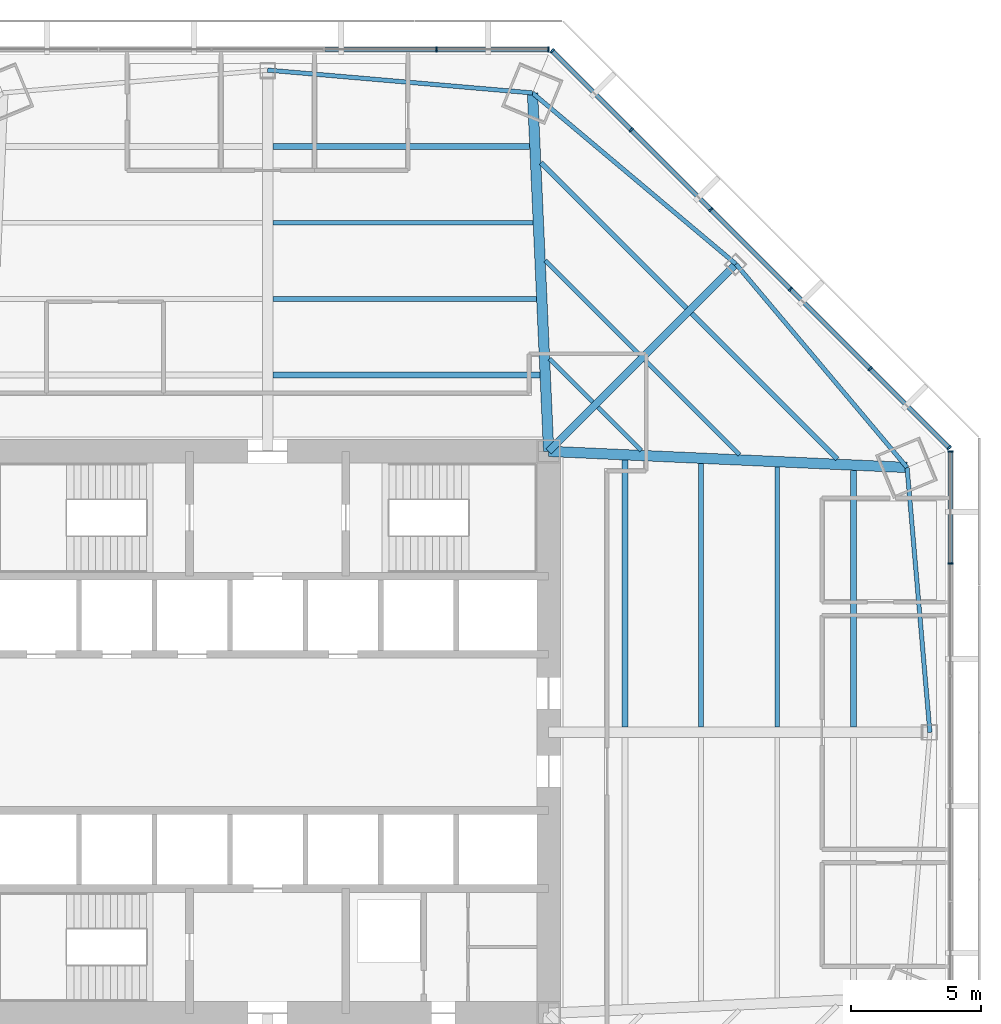
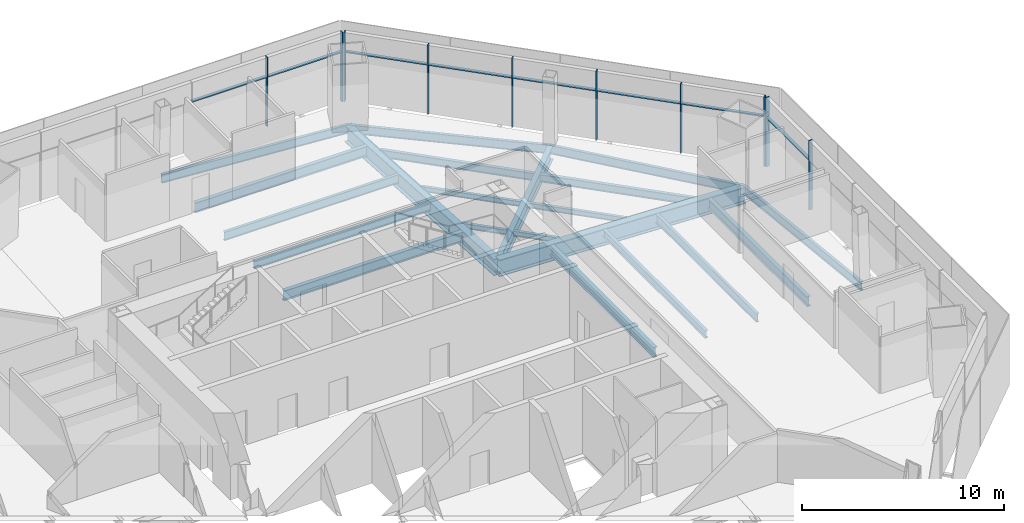
# One storey, part 6 of 15: 21 beams, 18 members, 3 elements without a shape of their own.
"""IFC4 building model written with IfcOpenShell, lengths in metres."""

from ifc_helpers import new_model, si_unit, direction, frame, origin, origin_2d, place, context, subcontext, project, spatial, rectangle, i_section, extrude, source, transform, mapped, material, material_profile, profile_set, type_object, type_shapes, element, aggregate, save


model = new_model("IFC4")

# Units and contexts
model_context = context("Model", 3, precision=1e-05, world=origin(), true_north=direction((0.0, 1.0)))
body_context = subcontext(model_context, "Body", "Model", "MODEL_VIEW")
ifc_project = project(units=[si_unit("LENGTHUNIT", "METRE"), si_unit("AREAUNIT", "SQUARE_METRE"), si_unit("VOLUMEUNIT", "CUBIC_METRE"), si_unit("PLANEANGLEUNIT", "RADIAN"), si_unit("MASSUNIT", "GRAM", prefix="KILO")], contexts=[model_context])

# Site, building, storey
site_placement = place(None, origin())
site = spatial("IfcSite", under=ifc_project, at=site_placement, CompositionType="ELEMENT")
building_placement = place(site_placement, origin())
building = spatial("IfcBuilding", under=site, at=building_placement, Name="Mashrafa Tower", CompositionType="ELEMENT")
storey_placement = place(building_placement, frame((0.0, 0.0, 62.39990234375)))
storey = spatial("IfcBuildingStorey", under=building, at=storey_placement, Name="L13", CompositionType="ELEMENT", Elevation=62.39990234375)

# Beams
ifc_material_1 = material(Name="Steel ASTM A992", Category="steel")
ifc_material_profile_1 = material_profile(ifc_material_1, i_section(OverallWidth=0.164794921875, OverallDepth=0.309814453125, WebThickness=0.005859375, FlangeThickness=0.009765625, FilletRadius=0.007568359375, at=origin_2d()), Name="W12X26")
ifc_profile_set_1 = profile_set([ifc_material_profile_1], Name="Steel ASTM A992")
beam_type_1 = type_object("IfcBeamType", Name="Beam W12X26", PredefinedType="BEAM", material=ifc_profile_set_1)
beam_1_placement = place(storey_placement, frame((10.6708984375, 18.1279296875, -0.31982421875), z_axis=(0.707106781187, -0.707106781187, 0.0), x_axis=(0.707106781187, 0.707106781187, 0.0)))
element("IfcBeam", 1, at=beam_1_placement, inside=storey, type_object=beam_type_1, Name="Floor beam L13 036", PredefinedType="BEAM", context=body_context, shape_type="SweptSolid", body=[
    extrude(i_section(OverallWidth=0.164794921875, OverallDepth=0.309814453125, WebThickness=0.005859375, FlangeThickness=0.009765625, FilletRadius=0.007568359375, at=origin_2d()), origin(), (0.0, 0.0, 1.0), 5.126953125),
])
for number, where, z_axis, x_axis, name in (
    (2, (10.840576171875, 14.35888671875, -0.31982421875), (0.707054651968, -0.707158906562, 0.0), (0.707158906562, 0.707054651968, 0.0), "Floor beam L13 038"),
    (3, (12.702880859375, 12.496337890625, -0.31982421875), (0.707158906562, -0.707054651968, 0.0), (0.707054651968, 0.707158906562, 0.0), "Floor beam L13 041"),
):
    element("IfcBeam", number, at=place(storey_placement, frame(where, z_axis=z_axis, x_axis=x_axis)), inside=storey, type_object=beam_type_1, Name=name, PredefinedType="BEAM", context=body_context, shape_type="SweptSolid", body=[
        extrude(i_section(OverallWidth=0.164794921875, OverallDepth=0.309814453125, WebThickness=0.005859375, FlangeThickness=0.009765625, FilletRadius=0.007568359375, at=origin_2d()), origin(), (0.0, 0.0, 1.0), 2.341796875),
    ])
beam_2_placement = place(storey_placement, frame((14.502685546875, 14.296142578125, -0.31982421875), z_axis=(0.707106781187, -0.707106781187, 0.0), x_axis=(0.707106781187, 0.707106781187, 0.0)))
element("IfcBeam", 4, at=beam_2_placement, inside=storey, type_object=beam_type_1, Name="Floor beam L13 045", PredefinedType="BEAM", context=body_context, shape_type="SweptSolid", body=[
    extrude(i_section(OverallWidth=0.164794921875, OverallDepth=0.309814453125, WebThickness=0.005859375, FlangeThickness=0.009765625, FilletRadius=0.007568359375, at=origin_2d()), origin(), (0.0, 0.0, 1.0), 5.126953125),
])
ifc_material_2 = material(Name="Steel ASTM A992", Category="steel")
ifc_material_profile_2 = material_profile(ifc_material_2, i_section(OverallWidth=0.191162109375, OverallDepth=0.459716796875, WebThickness=0.010009765625, FlangeThickness=0.01611328125, FilletRadius=0.01025390625, at=origin_2d()), Name="W18X55")
ifc_profile_set_2 = profile_set([ifc_material_profile_2], Name="Steel ASTM A992")
beam_type_2 = type_object("IfcBeamType", Name="Beam W18X55", PredefinedType="BEAM", material=ifc_profile_set_2)
beam_3_placement = place(storey_placement, frame((0.20458984375, 16.66162109375, -0.394775390625), z_axis=(1.0, 0.0, 0.0), x_axis=(0.0, 1.0, 0.0)))
element("IfcBeam", 5, at=beam_3_placement, inside=storey, type_object=beam_type_2, Name="Floor beam L13 030", PredefinedType="BEAM", context=body_context, shape_type="SweptSolid", body=[
    extrude(i_section(OverallWidth=0.191162109375, OverallDepth=0.459716796875, WebThickness=0.010009765625, FlangeThickness=0.01611328125, FilletRadius=0.01025390625, at=origin_2d()), origin(), (0.0, 0.0, 1.0), 10.130615234375),
])
for number, where, z_axis, x_axis, name in (
    (6, (10.501220703125, 21.89697265625, -0.394775390625), (0.707106781187, -0.707106781187, 0.0), (0.707106781187, 0.707106781187, 0.0), "Floor beam L13 034"),
    (7, (16.302490234375, 16.095703125, -0.394775390625), (0.707106781187, -0.707106781187, 0.0), (0.707106781187, 0.707106781187, 0.0), "Floor beam L13 048"),
):
    element("IfcBeam", number, at=place(storey_placement, frame(where, z_axis=z_axis, x_axis=x_axis)), inside=storey, type_object=beam_type_2, Name=name, PredefinedType="BEAM", context=body_context, shape_type="SweptSolid", body=[
        extrude(i_section(OverallWidth=0.191162109375, OverallDepth=0.459716796875, WebThickness=0.010009765625, FlangeThickness=0.01611328125, FilletRadius=0.01025390625, at=origin_2d()), origin(), (0.0, 0.0, 1.0), 7.911865234375),
    ])
beam_4_placement = place(storey_placement, frame((16.66162109375, 10.335205078125, -0.394775390625), z_axis=(0.0, -1.0, 0.0), x_axis=(1.0, 0.0, 0.0)))
element("IfcBeam", 8, at=beam_4_placement, inside=storey, type_object=beam_type_2, Name="Floor beam L13 050", PredefinedType="BEAM", context=body_context, shape_type="SweptSolid", body=[
    extrude(i_section(OverallWidth=0.191162109375, OverallDepth=0.459716796875, WebThickness=0.010009765625, FlangeThickness=0.01611328125, FilletRadius=0.01025390625, at=origin_2d()), origin(), (0.0, 0.0, 1.0), 10.130615234375),
])
ifc_material_3 = material(Name="Steel ASTM A992", Category="steel")
ifc_material_profile_3 = material_profile(ifc_material_3, i_section(OverallWidth=0.165771484375, OverallDepth=0.5283203125, WebThickness=0.009765625, FlangeThickness=0.013671875, FilletRadius=0.012939453125, at=origin_2d()), Name="W21X50")
ifc_profile_set_3 = profile_set([ifc_material_profile_3], Name="Steel ASTM A992")
beam_type_3 = type_object("IfcBeamType", Name="Beam W21X50", PredefinedType="BEAM", material=ifc_profile_set_3)
for number, where, z_axis, x_axis, name in (
    (9, (0.20458984375, 19.592529296875, -0.428955078125), (1.0, 0.0, 0.0), (0.0, 1.0, 0.0), "Floor beam L13 031"),
    (10, (19.592529296875, 10.203125, -0.428955078125), (0.0, -1.0, 0.0), (1.0, 0.0, 0.0), "Floor beam L13 053"),
):
    element("IfcBeam", number, at=place(storey_placement, frame(where, z_axis=z_axis, x_axis=x_axis)), inside=storey, type_object=beam_type_3, Name=name, PredefinedType="BEAM", context=body_context, shape_type="SweptSolid", body=[
        extrude(i_section(OverallWidth=0.165771484375, OverallDepth=0.5283203125, WebThickness=0.009765625, FlangeThickness=0.013671875, FilletRadius=0.012939453125, at=origin_2d()), origin(), (0.0, 0.0, 1.0), 9.99853515625),
    ])
for number, where, z_axis, x_axis, name in (
    (11, (10.1796875, 24.575927734375, -0.428955078125), (-0.996299620273, 0.085948046194, 0.0), (-0.085948046194, -0.996299620273, 0.0), "Spandrel beam L13 083"),
    (12, (17.998779296875, 17.998779296875, -0.428955078125), (-0.765265509267, 0.64371476628, 0.0), (-0.64371476628, -0.765265509267, 0.0), "Spandrel beam L13 085"),
    (13, (24.575927734375, 10.1796875, -0.428955078125), (-0.64371476628, 0.765265509267, 0.0), (-0.765265509267, -0.64371476628, 0.0), "Spandrel beam L13 087"),
    (14, (25.4541015625, 0.0, -0.428955078125), (-0.085948046194, 0.996299620273, 0.0), (-0.996299620273, -0.085948046194, 0.0), "Spandrel beam L13 088"),
):
    element("IfcBeam", number, at=place(storey_placement, frame(where, z_axis=z_axis, x_axis=x_axis)), inside=storey, type_object=beam_type_3, Name=name, PredefinedType="BEAM", context=body_context, shape_type="SweptSolid", body=[
        extrude(i_section(OverallWidth=0.165771484375, OverallDepth=0.5283203125, WebThickness=0.009765625, FlangeThickness=0.013671875, FilletRadius=0.012939453125, at=origin_2d()), origin(), (0.0, 0.0, 1.0), 10.217529296875),
    ])
ifc_material_4 = material(Name="Steel ASTM A992", Category="steel")
ifc_material_profile_4 = material_profile(ifc_material_4, i_section(OverallWidth=0.227783203125, OverallDepth=0.60205078125, WebThickness=0.010498046875, FlangeThickness=0.014892578125, FilletRadius=0.012939453125, at=origin_2d()), Name="W24X68")
ifc_profile_set_4 = profile_set([ifc_material_profile_4], Name="Steel ASTM A992")
beam_type_4 = type_object("IfcBeamType", Name="Beam W24X68", PredefinedType="BEAM", material=ifc_profile_set_4)
beam_5_placement = place(storey_placement, frame((0.20458984375, 13.730712890625, -0.4658203125), z_axis=(1.0, 0.0, 0.0), x_axis=(0.0, 1.0, 0.0)))
element("IfcBeam", 15, at=beam_5_placement, inside=storey, type_object=beam_type_4, Name="Floor beam L13 029", PredefinedType="BEAM", context=body_context, shape_type="SweptSolid", body=[
    extrude(i_section(OverallWidth=0.227783203125, OverallDepth=0.60205078125, WebThickness=0.010498046875, FlangeThickness=0.014892578125, FilletRadius=0.012939453125, at=origin_2d()), origin(), (0.0, 0.0, 1.0), 10.262451171875),
])
beam_6_placement = place(storey_placement, frame((0.20458984375, 22.5234375, -0.4658203125), z_axis=(1.0, 0.0, 0.0), x_axis=(0.0, 1.0, 0.0)))
element("IfcBeam", 16, at=beam_6_placement, inside=storey, type_object=beam_type_4, Name="Floor beam L13 032", PredefinedType="BEAM", context=body_context, shape_type="SweptSolid", body=[
    extrude(i_section(OverallWidth=0.227783203125, OverallDepth=0.60205078125, WebThickness=0.010498046875, FlangeThickness=0.014892578125, FilletRadius=0.012939453125, at=origin_2d()), origin(), (0.0, 0.0, 1.0), 9.86669921875),
])
beam_7_placement = place(storey_placement, frame((13.730712890625, 10.467041015625, -0.4658203125), z_axis=(0.0, -1.0, 0.0), x_axis=(1.0, 0.0, 0.0)))
element("IfcBeam", 17, at=beam_7_placement, inside=storey, type_object=beam_type_4, Name="Floor beam L13 043", PredefinedType="BEAM", context=body_context, shape_type="SweptSolid", body=[
    extrude(i_section(OverallWidth=0.227783203125, OverallDepth=0.60205078125, WebThickness=0.010498046875, FlangeThickness=0.014892578125, FilletRadius=0.012939453125, at=origin_2d()), origin(), (0.0, 0.0, 1.0), 10.262451171875),
])
beam_8_placement = place(storey_placement, frame((22.5234375, 10.0712890625, -0.4658203125), z_axis=(0.0, -1.0, 0.0), x_axis=(1.0, 0.0, 0.0)))
element("IfcBeam", 18, at=beam_8_placement, inside=storey, type_object=beam_type_4, Name="Floor beam L13 056", PredefinedType="BEAM", context=body_context, shape_type="SweptSolid", body=[
    extrude(i_section(OverallWidth=0.227783203125, OverallDepth=0.60205078125, WebThickness=0.010498046875, FlangeThickness=0.014892578125, FilletRadius=0.012939453125, at=origin_2d()), origin(), (0.0, 0.0, 1.0), 9.86669921875),
])
ifc_material_5 = material(Name="Steel ASTM A992", Category="steel")
ifc_material_profile_5 = material_profile(ifc_material_5, i_section(OverallWidth=0.2919921875, OverallDepth=0.8583984375, WebThickness=0.01708984375, FlangeThickness=0.031005859375, FilletRadius=0.017822265625, at=origin_2d()), Name="W33X169")
ifc_profile_set_5 = profile_set([ifc_material_profile_5], Name="Steel ASTM A992")
beam_type_5 = type_object("IfcBeamType", Name="Beam W33X169", PredefinedType="BEAM", material=ifc_profile_set_5)
beam_9_placement = place(storey_placement, frame((10.800048828125, 10.800048828125, -0.59423828125), z_axis=(0.707106781187, 0.707106781187, 0.0), x_axis=(-0.707106781187, 0.707106781187, 0.0)))
element("IfcBeam", 19, at=beam_9_placement, inside=storey, type_object=beam_type_5, Name="Radial girder L13 071", PredefinedType="BEAM", context=body_context, shape_type="SweptSolid", body=[
    extrude(i_section(OverallWidth=0.2919921875, OverallDepth=0.8583984375, WebThickness=0.01708984375, FlangeThickness=0.031005859375, FilletRadius=0.017822265625, at=origin_2d()), origin(), (0.0, 0.0, 1.0), 10.1806640625),
])
ifc_material_6 = material(Name="Steel ASTM A992", Category="steel")
ifc_material_profile_6 = material_profile(ifc_material_6, i_section(OverallWidth=0.4013671875, OverallDepth=1.010986328125, WebThickness=0.023681640625, FlangeThickness=0.0419921875, FilletRadius=0.02001953125, at=origin_2d()), Name="W40X297")
ifc_profile_set_6 = profile_set([ifc_material_profile_6], Name="Steel ASTM A992")
beam_type_6 = type_object("IfcBeamType", Name="Beam W40X297", PredefinedType="BEAM", material=ifc_profile_set_6)
for number, where, z_axis, x_axis, name in (
    (20, (10.800048828125, 10.800048828125, -0.67041015625), (-0.044986840105, 0.998987579611, 0.0), (-0.998987579611, -0.044986840105, 0.0), "Radial girder L13 070"),
    (21, (10.800048828125, 10.800048828125, -0.67041015625), (0.998987579611, -0.044986840105, 0.0), (0.044986840105, 0.998987579611, 0.0), "Radial girder L13 072"),
):
    element("IfcBeam", number, at=place(storey_placement, frame(where, z_axis=z_axis, x_axis=x_axis)), inside=storey, type_object=beam_type_6, Name=name, PredefinedType="BEAM", context=body_context, shape_type="SweptSolid", body=[
        extrude(i_section(OverallWidth=0.4013671875, OverallDepth=1.010986328125, WebThickness=0.023681640625, FlangeThickness=0.0419921875, FilletRadius=0.02001953125, at=origin_2d()), origin(), (0.0, 0.0, 1.0), 13.789794921875),
    ])

# Curtain wall, members
ifc_material_7 = material(Name="Unitised aluminium curtain wall", Category="aluminium")
curtain_wall_type = type_object("IfcCurtainWallType", Name="Office curtain wall, zone 1 CW-A 200 deep", PredefinedType="NOTDEFINED", material=ifc_material_7)
curtain_wall_1_placement = place(storey_placement, origin())
curtain_wall_1 = element("IfcCurtainWall", 22, at=curtain_wall_1_placement, inside=storey, type_object=curtain_wall_type, Name="Office curtain wall, zone 1 L13 east", PredefinedType="NOTDEFINED")
ifc_material_8 = material(Name="Extruded aluminium mullion", Category="aluminium")
ifc_material_profile_7 = material_profile(ifc_material_8, rectangle(XDim=0.199951171875, YDim=0.06494140625, at=origin_2d()), Name="Mullion 65x200")
ifc_profile_set_7 = profile_set([ifc_material_profile_7], Name="Extruded aluminium mullion")
member_type_1 = type_object("IfcMemberType", Name="Mullion CW-A 65 x 200", PredefinedType="MULLION", material=ifc_profile_set_7)
shared_shape_1 = source(origin(), body_context, "Body", "SweptSolid", [
    extrude(rectangle(XDim=0.199951171875, YDim=0.06494140625, at=origin_2d()), origin(), (0.0, 0.0, 1.0), 4.2001953125),
])
type_shapes(member_type_1, [shared_shape_1])
member_1_placement = place(storey_placement, frame((26.24951171875, 6.492919921875, 0.0), z_axis=(0.0, 0.0, 1.0), x_axis=(-1.0, 0.0, 0.0)))
member_1 = element("IfcMember", 23, at=member_1_placement, type_object=member_type_1, Name="CW-A mullion 5", PredefinedType="MULLION", context=body_context, shape_type="MappedRepresentation", body=[
    mapped(shared_shape_1, transform((0.0, 0.0, 0.0))),
])
member_2_placement = place(storey_placement, frame((26.24951171875, 10.7890625, 0.0), z_axis=(0.0, 0.0, 1.0), x_axis=(-1.0, 0.0, 0.0)))
member_2 = element("IfcMember", 24, at=member_2_placement, type_object=member_type_1, Name="CW-A mullion 6", PredefinedType="MULLION", context=body_context, shape_type="MappedRepresentation", body=[
    mapped(shared_shape_1, transform((0.0, 0.0, 0.0))),
])

curtain_wall_2_placement = place(storey_placement, origin())
curtain_wall_2 = element("IfcCurtainWall", 25, at=curtain_wall_2_placement, inside=storey, type_object=curtain_wall_type, Name="Office curtain wall, zone 1 L13 north-east", PredefinedType="NOTDEFINED")
member_3_placement = place(storey_placement, frame((26.190185546875, 10.93212890625, 0.0), z_axis=(0.0, 0.0, 1.0), x_axis=(-0.707106781187, -0.707106781187, 0.0)))
member_3 = element("IfcMember", 26, at=member_3_placement, type_object=member_type_1, Name="CW-A mullion 1", PredefinedType="MULLION", context=body_context, shape_type="MappedRepresentation", body=[
    mapped(shared_shape_1, transform((0.0, 0.0, 0.0))),
])
member_4_placement = place(storey_placement, frame((23.15234375, 13.969970703125, 0.0), z_axis=(0.0, 0.0, 1.0), x_axis=(-0.707106781187, -0.707106781187, 0.0)))
member_4 = element("IfcMember", 27, at=member_4_placement, type_object=member_type_1, Name="CW-A mullion 2", PredefinedType="MULLION", context=body_context, shape_type="MappedRepresentation", body=[
    mapped(shared_shape_1, transform((0.0, 0.0, 0.0))),
])
member_5_placement = place(storey_placement, frame((20.091552734375, 17.03076171875, 0.0), z_axis=(0.0, 0.0, 1.0), x_axis=(-0.707106781187, -0.707106781187, 0.0)))
member_5 = element("IfcMember", 28, at=member_5_placement, type_object=member_type_1, Name="CW-A mullion 3", PredefinedType="MULLION", context=body_context, shape_type="MappedRepresentation", body=[
    mapped(shared_shape_1, transform((0.0, 0.0, 0.0))),
])
member_6_placement = place(storey_placement, frame((17.03076171875, 20.091552734375, 0.0), z_axis=(0.0, 0.0, 1.0), x_axis=(-0.707106781187, -0.707106781187, 0.0)))
member_6 = element("IfcMember", 29, at=member_6_placement, type_object=member_type_1, Name="CW-A mullion 4", PredefinedType="MULLION", context=body_context, shape_type="MappedRepresentation", body=[
    mapped(shared_shape_1, transform((0.0, 0.0, 0.0))),
])
member_7_placement = place(storey_placement, frame((13.969970703125, 23.15234375, 0.0), z_axis=(0.0, 0.0, 1.0), x_axis=(-0.707106781187, -0.707106781187, 0.0)))
member_7 = element("IfcMember", 30, at=member_7_placement, type_object=member_type_1, Name="CW-A mullion 5", PredefinedType="MULLION", context=body_context, shape_type="MappedRepresentation", body=[
    mapped(shared_shape_1, transform((0.0, 0.0, 0.0))),
])
member_8_placement = place(storey_placement, frame((10.93212890625, 26.190185546875, 0.0), z_axis=(0.0, 0.0, 1.0), x_axis=(-0.707106781187, -0.707106781187, 0.0)))
member_8 = element("IfcMember", 31, at=member_8_placement, type_object=member_type_1, Name="CW-A mullion 6", PredefinedType="MULLION", context=body_context, shape_type="MappedRepresentation", body=[
    mapped(shared_shape_1, transform((0.0, 0.0, 0.0))),
])

curtain_wall_3_placement = place(storey_placement, origin())
curtain_wall_3 = element("IfcCurtainWall", 32, at=curtain_wall_3_placement, inside=storey, type_object=curtain_wall_type, Name="Office curtain wall, zone 1 L13 north", PredefinedType="NOTDEFINED")
member_9_placement = place(storey_placement, frame((10.7890625, 26.24951171875, 0.0), z_axis=(0.0, 0.0, 1.0), x_axis=(0.0, -1.0, 0.0)))
member_9 = element("IfcMember", 33, at=member_9_placement, type_object=member_type_1, Name="CW-A mullion 1", PredefinedType="MULLION", context=body_context, shape_type="MappedRepresentation", body=[
    mapped(shared_shape_1, transform((0.0, 0.0, 0.0))),
])
member_10_placement = place(storey_placement, frame((6.492919921875, 26.24951171875, 0.0), z_axis=(0.0, 0.0, 1.0), x_axis=(0.0, -1.0, 0.0)))
member_10 = element("IfcMember", 34, at=member_10_placement, type_object=member_type_1, Name="CW-A mullion 2", PredefinedType="MULLION", context=body_context, shape_type="MappedRepresentation", body=[
    mapped(shared_shape_1, transform((0.0, 0.0, 0.0))),
])

# Member
ifc_material_9 = material(Name="Extruded aluminium transom", Category="aluminium")
ifc_material_profile_8 = material_profile(ifc_material_9, rectangle(XDim=0.159912109375, YDim=0.080078125, at=origin_2d()), Name="Transom 80x160")
ifc_profile_set_8 = profile_set([ifc_material_profile_8], Name="Extruded aluminium transom")
member_type_2 = type_object("IfcMemberType", Name="Transom CW-A 80 x 160", PredefinedType="MULLION", material=ifc_profile_set_8)
shared_shape_2 = source(origin(), body_context, "Body", "SweptSolid", [
    extrude(rectangle(XDim=0.159912109375, YDim=0.080078125, at=origin_2d()), origin(), (0.0, 0.0, 1.0), 4.231201171875),
])
member_11_placement = place(storey_placement, frame((26.24951171875, 6.525390625, 3.0), z_axis=(0.0, 1.0, 0.0), x_axis=(-1.0, 0.0, 0.0)))
member_11 = element("IfcMember", 35, at=member_11_placement, type_object=member_type_2, Name="CW-A transom 5", PredefinedType="MULLION", context=body_context, shape_type="MappedRepresentation", body=[
    mapped(shared_shape_2, transform((0.0, 0.0, 0.0))),
])

aggregate(curtain_wall_1, [member_1, member_2, member_11])

member_12_placement = place(storey_placement, frame((10.756591796875, 26.24951171875, 3.0), z_axis=(-1.0, 0.0, 0.0), x_axis=(0.0, -1.0, 0.0)))
member_12 = element("IfcMember", 36, at=member_12_placement, type_object=member_type_2, Name="CW-A transom 1", PredefinedType="MULLION", context=body_context, shape_type="MappedRepresentation", body=[
    mapped(shared_shape_2, transform((0.0, 0.0, 0.0))),
])

shared_shape_3 = source(origin(), body_context, "Body", "SweptSolid", [
    extrude(rectangle(XDim=0.159912109375, YDim=0.080078125, at=origin_2d()), origin(), (0.0, 0.0, 1.0), 4.263671875),
])
member_13_placement = place(storey_placement, frame((23.12939453125, 13.992919921875, 3.0), z_axis=(-0.707106781187, 0.707106781187, 0.0), x_axis=(-0.707106781187, -0.707106781187, 0.0)))
member_13 = element("IfcMember", 37, at=member_13_placement, type_object=member_type_2, Name="CW-A transom 2", PredefinedType="MULLION", context=body_context, shape_type="MappedRepresentation", body=[
    mapped(shared_shape_3, transform((0.0, 0.0, 0.0))),
])

member_14_placement = place(storey_placement, frame((20.068603515625, 17.0537109375, 3.0), z_axis=(-0.707106781187, 0.707106781187, 0.0), x_axis=(-0.707106781187, -0.707106781187, 0.0)))
member_14 = element("IfcMember", 38, at=member_14_placement, type_object=member_type_2, Name="CW-A transom 3", PredefinedType="MULLION", context=body_context, shape_type="MappedRepresentation", body=[
    mapped(shared_shape_3, transform((0.0, 0.0, 0.0))),
])

member_15_placement = place(storey_placement, frame((17.0078125, 20.114501953125, 3.0), z_axis=(-0.707106781187, 0.707106781187, 0.0), x_axis=(-0.707106781187, -0.707106781187, 0.0)))
member_15 = element("IfcMember", 39, at=member_15_placement, type_object=member_type_2, Name="CW-A transom 4", PredefinedType="MULLION", context=body_context, shape_type="MappedRepresentation", body=[
    mapped(shared_shape_3, transform((0.0, 0.0, 0.0))),
])

member_16_placement = place(storey_placement, frame((6.46044921875, 26.24951171875, 3.0), z_axis=(-1.0, 0.0, 0.0), x_axis=(0.0, -1.0, 0.0)))
member_16 = element("IfcMember", 40, at=member_16_placement, type_object=member_type_2, Name="CW-A transom 2", PredefinedType="MULLION", context=body_context, shape_type="MappedRepresentation", body=[
    mapped(shared_shape_3, transform((0.0, 0.0, 0.0))),
])

aggregate(curtain_wall_3, [member_9, member_10, member_12, member_16])

shared_shape_4 = source(origin(), body_context, "Body", "SweptSolid", [
    extrude(rectangle(XDim=0.159912109375, YDim=0.080078125, at=origin_2d()), origin(), (0.0, 0.0, 1.0), 4.23095703125),
])
type_shapes(member_type_2, [shared_shape_2, shared_shape_3, shared_shape_4])
member_17_placement = place(storey_placement, frame((26.167236328125, 10.955322265625, 3.0), z_axis=(-0.707135631501, 0.707077929695, 0.0), x_axis=(-0.707077929695, -0.707135631501, 0.0)))
member_17 = element("IfcMember", 41, at=member_17_placement, type_object=member_type_2, Name="CW-A transom 1", PredefinedType="MULLION", context=body_context, shape_type="MappedRepresentation", body=[
    mapped(shared_shape_4, transform((0.0, 0.0, 0.0))),
])

member_18_placement = place(storey_placement, frame((13.947021484375, 23.17529296875, 3.0), z_axis=(-0.707077929695, 0.707135631501, 0.0), x_axis=(-0.707135631501, -0.707077929695, 0.0)))
member_18 = element("IfcMember", 42, at=member_18_placement, type_object=member_type_2, Name="CW-A transom 5", PredefinedType="MULLION", context=body_context, shape_type="MappedRepresentation", body=[
    mapped(shared_shape_4, transform((0.0, 0.0, 0.0))),
])

aggregate(curtain_wall_2, [member_3, member_4, member_5, member_6, member_7, member_8, member_17, member_13, member_14, member_15, member_18])

save(model, "model.ifc")
